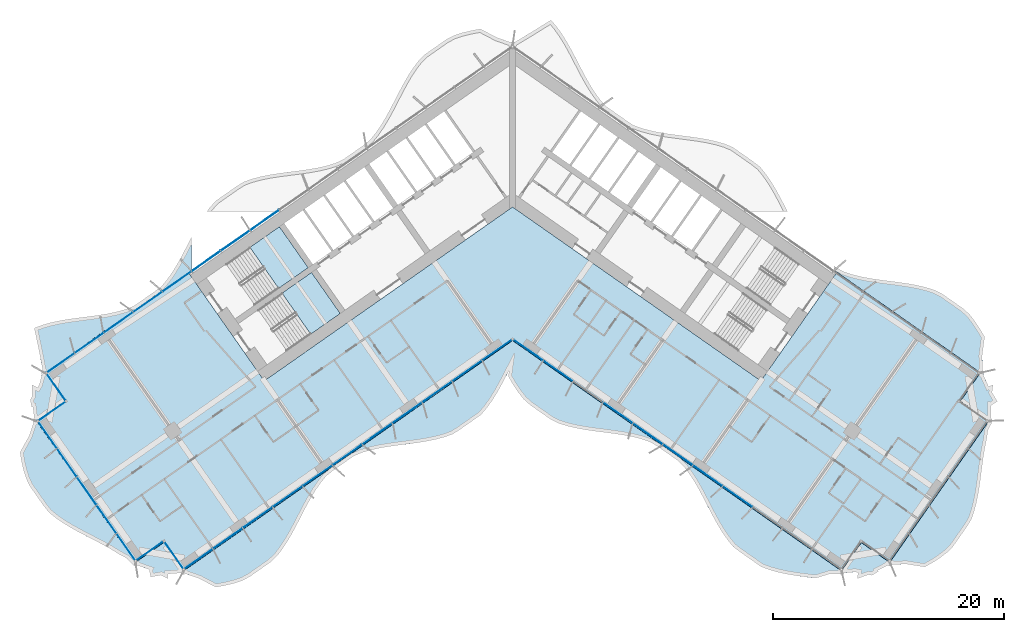
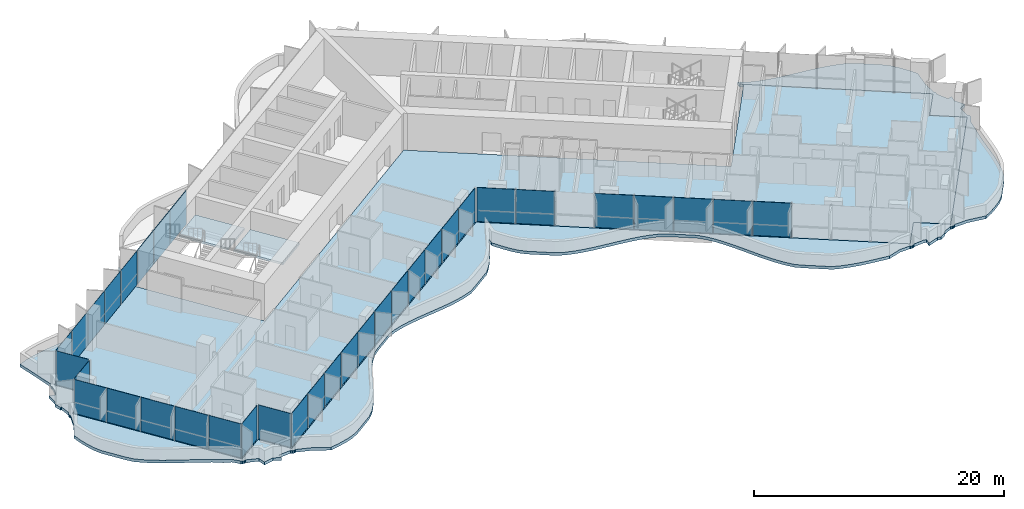
# One storey, part 10 of 23: 35 plates, 4 slabs, 4 elements without a shape of their own.
"""IFC4 building model written with IfcOpenShell, lengths in metres."""

from ifc_helpers import new_model, si_unit, direction, frame, origin, origin_2d, place, context, subcontext, project, spatial, polyline, rectangle, outline, extrude, material, layer, layer_set, type_object, element, aggregate, save


model = new_model("IFC4")

# Units and contexts
model_context = context("Model", 3, precision=1e-05, world=origin(), true_north=direction((0.0, 1.0)))
body_context = subcontext(model_context, "Body", "Model", "MODEL_VIEW")
ifc_project = project(units=[si_unit("LENGTHUNIT", "METRE"), si_unit("AREAUNIT", "SQUARE_METRE"), si_unit("VOLUMEUNIT", "CUBIC_METRE"), si_unit("PLANEANGLEUNIT", "RADIAN"), si_unit("MASSUNIT", "GRAM", prefix="KILO")], contexts=[model_context])

# Site, building, storey
site_placement = place(None, origin())
site = spatial("IfcSite", under=ifc_project, at=site_placement, CompositionType="ELEMENT")
building_placement = place(site_placement, origin())
building = spatial("IfcBuilding", under=site, at=building_placement, Name="Tel Ilan Convention Tower", CompositionType="ELEMENT")
storey_placement = place(building_placement, frame((0.0, 0.0, 112.10009765625)))
storey = spatial("IfcBuildingStorey", under=building, at=storey_placement, Name="L24", CompositionType="ELEMENT", Elevation=112.10009765625)

# Curtain wall, plates
ifc_material_1 = material(Name="Aluminium, bronze anodised", Category="aluminium")
curtain_wall_type_1 = type_object("IfcCurtainWallType", Name="CW1 UNITISED CURTAIN WALL, HOTEL TINTED GLASS", PredefinedType="NOTDEFINED", material=ifc_material_1)
curtain_wall_1_placement = place(storey_placement, origin())
curtain_wall_1 = element("IfcCurtainWall", 1, at=curtain_wall_1_placement, inside=storey, type_object=curtain_wall_type_1, Name="Curtain wall CW1-20.02", PredefinedType="NOTDEFINED")
ifc_material_2 = material(Name="Glass, bronze tinted, two-ply unitised", Category="glass")
ifc_layer_1 = layer(ifc_material_2, 0.028076171875)
ifc_layer_set_1 = layer_set([ifc_layer_1], Name="CW HOTEL GLASS PANEL 28")
plate_type_1 = type_object("IfcPlateType", Name="CW HOTEL GLASS PANEL 28", PredefinedType="CURTAIN_PANEL", material=ifc_layer_set_1)
plate_1_placement = place(storey_placement, frame((-29.1171875, -7.692138671875, 0.0), z_axis=(0.0, 0.0, 1.0), x_axis=(-0.819152044289, -0.573576436351, 0.0)))
plate_1 = element("IfcPlate", 2, at=plate_1_placement, type_object=plate_type_1, Name="Glass panel", PredefinedType="CURTAIN_PANEL", context=body_context, shape_type="SweptSolid", body=[
    extrude(rectangle(XDim=3.037109375, YDim=0.028076171875, at=origin_2d()), origin(), (0.0, 0.0, 1.0), 3.320068359375),
])
plate_2_placement = place(storey_placement, frame((-31.654296875, -9.468505859375, 0.0), z_axis=(0.0, 0.0, 1.0), x_axis=(-0.819152044289, -0.573576436351, 0.0)))
plate_2 = element("IfcPlate", 3, at=plate_2_placement, type_object=plate_type_1, Name="Glass panel", PredefinedType="CURTAIN_PANEL", context=body_context, shape_type="SweptSolid", body=[
    extrude(rectangle(XDim=3.037109375, YDim=0.028076171875, at=origin_2d()), origin(), (0.0, 0.0, 1.0), 3.320068359375),
])
plate_3_placement = place(storey_placement, frame((-34.191162109375, -11.244873046875, 0.0), z_axis=(0.0, 0.0, 1.0), x_axis=(-0.819152044289, -0.573576436351, 0.0)))
plate_3 = element("IfcPlate", 4, at=plate_3_placement, type_object=plate_type_1, Name="Glass panel", PredefinedType="CURTAIN_PANEL", context=body_context, shape_type="SweptSolid", body=[
    extrude(rectangle(XDim=3.037109375, YDim=0.028076171875, at=origin_2d()), origin(), (0.0, 0.0, 1.0), 3.320068359375),
])
plate_4_placement = place(storey_placement, frame((-36.72802734375, -13.021240234375, 0.0), z_axis=(0.0, 0.0, 1.0), x_axis=(-0.819152044289, -0.573576436351, 0.0)))
plate_4 = element("IfcPlate", 5, at=plate_4_placement, type_object=plate_type_1, Name="Glass panel", PredefinedType="CURTAIN_PANEL", context=body_context, shape_type="SweptSolid", body=[
    extrude(rectangle(XDim=3.037109375, YDim=0.028076171875, at=origin_2d()), origin(), (0.0, 0.0, 1.0), 3.320068359375),
])
plate_5_placement = place(storey_placement, frame((-39.2265625, -14.7705078125, 0.0), z_axis=(0.0, 0.0, 1.0), x_axis=(-0.819152044289, -0.573576436351, 0.0)))
plate_5 = element("IfcPlate", 6, at=plate_5_placement, type_object=plate_type_1, Name="Glass panel", PredefinedType="CURTAIN_PANEL", context=body_context, shape_type="SweptSolid", body=[
    extrude(rectangle(XDim=2.943115234375, YDim=0.028076171875, at=origin_2d()), origin(), (0.0, 0.0, 1.0), 3.320068359375),
])
plate_6_placement = place(storey_placement, frame((-39.61328125, -16.82568359375, 0.0), z_axis=(0.0, 0.0, 1.0), x_axis=(0.573576436351, -0.819152044289, 0.0)))
plate_6 = element("IfcPlate", 7, at=plate_6_placement, type_object=plate_type_1, Name="Glass panel", PredefinedType="CURTAIN_PANEL", context=body_context, shape_type="SweptSolid", body=[
    extrude(rectangle(XDim=2.875, YDim=0.028076171875, at=origin_2d()), origin(), (0.0, 0.0, 1.0), 3.320068359375),
])
plate_7_placement = place(storey_placement, frame((-39.990966796875, -18.96826171875, 0.0), z_axis=(0.0, 0.0, 1.0), x_axis=(-0.819152044289, -0.573576436351, 0.0)))
plate_7 = element("IfcPlate", 8, at=plate_7_placement, type_object=plate_type_1, Name="Glass panel", PredefinedType="CURTAIN_PANEL", context=body_context, shape_type="SweptSolid", body=[
    extrude(rectangle(XDim=2.875, YDim=0.028076171875, at=origin_2d()), origin(), (0.0, 0.0, 1.0), 3.320068359375),
])
plate_8_placement = place(storey_placement, frame((-40.358154296875, -20.991943359375, 0.0), z_axis=(0.0, 0.0, 1.0), x_axis=(0.573576436351, -0.819152044289, 0.0)))
plate_8 = element("IfcPlate", 9, at=plate_8_placement, type_object=plate_type_1, Name="Glass panel", PredefinedType="CURTAIN_PANEL", context=body_context, shape_type="SweptSolid", body=[
    extrude(rectangle(XDim=2.845947265625, YDim=0.028076171875, at=origin_2d()), origin(), (0.0, 0.0, 1.0), 3.320068359375),
])
plate_9_placement = place(storey_placement, frame((-38.66455078125, -23.410888671875, 0.0), z_axis=(0.0, 0.0, 1.0), x_axis=(0.573576436351, -0.819152044289, 0.0)))
plate_9 = element("IfcPlate", 10, at=plate_9_placement, type_object=plate_type_1, Name="Glass panel", PredefinedType="CURTAIN_PANEL", context=body_context, shape_type="SweptSolid", body=[
    extrude(rectangle(XDim=2.93994140625, YDim=0.028076171875, at=origin_2d()), origin(), (0.0, 0.0, 1.0), 3.320068359375),
])
plate_10_placement = place(storey_placement, frame((-36.94384765625, -25.868408203125, 0.0), z_axis=(0.0, 0.0, 1.0), x_axis=(0.573576436351, -0.819152044289, 0.0)))
plate_10 = element("IfcPlate", 11, at=plate_10_placement, type_object=plate_type_1, Name="Glass panel", PredefinedType="CURTAIN_PANEL", context=body_context, shape_type="SweptSolid", body=[
    extrude(rectangle(XDim=2.93994140625, YDim=0.028076171875, at=origin_2d()), origin(), (0.0, 0.0, 1.0), 3.320068359375),
])
plate_11_placement = place(storey_placement, frame((-35.22314453125, -28.32568359375, 0.0), z_axis=(0.0, 0.0, 1.0), x_axis=(0.573576436351, -0.819152044289, 0.0)))
plate_11 = element("IfcPlate", 12, at=plate_11_placement, type_object=plate_type_1, Name="Glass panel", PredefinedType="CURTAIN_PANEL", context=body_context, shape_type="SweptSolid", body=[
    extrude(rectangle(XDim=2.93994140625, YDim=0.028076171875, at=origin_2d()), origin(), (0.0, 0.0, 1.0), 3.320068359375),
])
plate_12_placement = place(storey_placement, frame((-33.529296875, -30.74462890625, 0.0), z_axis=(0.0, 0.0, 1.0), x_axis=(0.573576436351, -0.819152044289, 0.0)))
plate_12 = element("IfcPlate", 13, at=plate_12_placement, type_object=plate_type_1, Name="Glass panel", PredefinedType="CURTAIN_PANEL", context=body_context, shape_type="SweptSolid", body=[
    extrude(rectangle(XDim=2.845947265625, YDim=0.028076171875, at=origin_2d()), origin(), (0.0, 0.0, 1.0), 3.320068359375),
])
plate_13_placement = place(storey_placement, frame((-31.502197265625, -31.091796875, 0.0), z_axis=(0.0, 0.0, 1.0), x_axis=(0.819152044289, 0.573576436351, 0.0)))
plate_13 = element("IfcPlate", 14, at=plate_13_placement, type_object=plate_type_1, Name="Glass panel", PredefinedType="CURTAIN_PANEL", context=body_context, shape_type="SweptSolid", body=[
    extrude(rectangle(XDim=2.875, YDim=0.028076171875, at=origin_2d()), origin(), (0.0, 0.0, 1.0), 3.320068359375),
])
plate_14_placement = place(storey_placement, frame((-29.359375, -31.469482421875, 0.0), z_axis=(0.0, 0.0, 1.0), x_axis=(0.573576436351, -0.819152044289, 0.0)))
plate_14 = element("IfcPlate", 15, at=plate_14_placement, type_object=plate_type_1, Name="Glass panel", PredefinedType="CURTAIN_PANEL", context=body_context, shape_type="SweptSolid", body=[
    extrude(rectangle(XDim=2.875, YDim=0.028076171875, at=origin_2d()), origin(), (0.0, 0.0, 1.0), 3.320068359375),
])
plate_15_placement = place(storey_placement, frame((-27.26708984375, -31.78857421875, 0.0), z_axis=(0.0, 0.0, 1.0), x_axis=(0.819152044289, 0.573576436351, 0.0)))
plate_15 = element("IfcPlate", 16, at=plate_15_placement, type_object=plate_type_1, Name="Glass panel", PredefinedType="CURTAIN_PANEL", context=body_context, shape_type="SweptSolid", body=[
    extrude(rectangle(XDim=3.013916015625, YDim=0.028076171875, at=origin_2d()), origin(), (0.0, 0.0, 1.0), 3.320068359375),
])
plate_16_placement = place(storey_placement, frame((-24.71044921875, -29.99853515625, 0.0), z_axis=(0.0, 0.0, 1.0), x_axis=(0.819152044289, 0.573576436351, 0.0)))
plate_16 = element("IfcPlate", 17, at=plate_16_placement, type_object=plate_type_1, Name="Glass panel", PredefinedType="CURTAIN_PANEL", context=body_context, shape_type="SweptSolid", body=[
    extrude(rectangle(XDim=3.10791015625, YDim=0.028076171875, at=origin_2d()), origin(), (0.0, 0.0, 1.0), 3.320068359375),
])
plate_17_placement = place(storey_placement, frame((-22.115478515625, -28.181396484375, 0.0), z_axis=(0.0, 0.0, 1.0), x_axis=(0.819152044289, 0.573576436351, 0.0)))
plate_17 = element("IfcPlate", 18, at=plate_17_placement, type_object=plate_type_1, Name="Glass panel", PredefinedType="CURTAIN_PANEL", context=body_context, shape_type="SweptSolid", body=[
    extrude(rectangle(XDim=3.10791015625, YDim=0.028076171875, at=origin_2d()), origin(), (0.0, 0.0, 1.0), 3.320068359375),
])
plate_18_placement = place(storey_placement, frame((-19.520263671875, -26.3642578125, 0.0), z_axis=(0.0, 0.0, 1.0), x_axis=(0.819152044289, 0.573576436351, 0.0)))
plate_18 = element("IfcPlate", 19, at=plate_18_placement, type_object=plate_type_1, Name="Glass panel", PredefinedType="CURTAIN_PANEL", context=body_context, shape_type="SweptSolid", body=[
    extrude(rectangle(XDim=3.10791015625, YDim=0.028076171875, at=origin_2d()), origin(), (0.0, 0.0, 1.0), 3.320068359375),
])
plate_19_placement = place(storey_placement, frame((-16.92529296875, -24.54736328125, 0.0), z_axis=(0.0, 0.0, 1.0), x_axis=(0.819152044289, 0.573576436351, 0.0)))
plate_19 = element("IfcPlate", 20, at=plate_19_placement, type_object=plate_type_1, Name="Glass panel", PredefinedType="CURTAIN_PANEL", context=body_context, shape_type="SweptSolid", body=[
    extrude(rectangle(XDim=3.10791015625, YDim=0.028076171875, at=origin_2d()), origin(), (0.0, 0.0, 1.0), 3.320068359375),
])
plate_20_placement = place(storey_placement, frame((-14.330078125, -22.730224609375, 0.0), z_axis=(0.0, 0.0, 1.0), x_axis=(0.819152044289, 0.573576436351, 0.0)))
plate_20 = element("IfcPlate", 21, at=plate_20_placement, type_object=plate_type_1, Name="Glass panel", PredefinedType="CURTAIN_PANEL", context=body_context, shape_type="SweptSolid", body=[
    extrude(rectangle(XDim=3.10791015625, YDim=0.028076171875, at=origin_2d()), origin(), (0.0, 0.0, 1.0), 3.320068359375),
])
plate_21_placement = place(storey_placement, frame((-11.735107421875, -20.9130859375, 0.0), z_axis=(0.0, 0.0, 1.0), x_axis=(0.819152044289, 0.573576436351, 0.0)))
plate_21 = element("IfcPlate", 22, at=plate_21_placement, type_object=plate_type_1, Name="Glass panel", PredefinedType="CURTAIN_PANEL", context=body_context, shape_type="SweptSolid", body=[
    extrude(rectangle(XDim=3.10791015625, YDim=0.028076171875, at=origin_2d()), origin(), (0.0, 0.0, 1.0), 3.320068359375),
])
plate_22_placement = place(storey_placement, frame((-9.14013671875, -19.095947265625, 0.0), z_axis=(0.0, 0.0, 1.0), x_axis=(0.819152044289, 0.573576436351, 0.0)))
plate_22 = element("IfcPlate", 23, at=plate_22_placement, type_object=plate_type_1, Name="Glass panel", PredefinedType="CURTAIN_PANEL", context=body_context, shape_type="SweptSolid", body=[
    extrude(rectangle(XDim=3.10791015625, YDim=0.028076171875, at=origin_2d()), origin(), (0.0, 0.0, 1.0), 3.320068359375),
])
plate_23_placement = place(storey_placement, frame((-6.544921875, -17.27880859375, 0.0), z_axis=(0.0, 0.0, 1.0), x_axis=(0.819152044289, 0.573576436351, 0.0)))
plate_23 = element("IfcPlate", 24, at=plate_23_placement, type_object=plate_type_1, Name="Glass panel", PredefinedType="CURTAIN_PANEL", context=body_context, shape_type="SweptSolid", body=[
    extrude(rectangle(XDim=3.10791015625, YDim=0.028076171875, at=origin_2d()), origin(), (0.0, 0.0, 1.0), 3.320068359375),
])
plate_24_placement = place(storey_placement, frame((-3.949951171875, -15.4619140625, 0.0), z_axis=(0.0, 0.0, 1.0), x_axis=(0.819152044289, 0.573576436351, 0.0)))
plate_24 = element("IfcPlate", 25, at=plate_24_placement, type_object=plate_type_1, Name="Glass panel", PredefinedType="CURTAIN_PANEL", context=body_context, shape_type="SweptSolid", body=[
    extrude(rectangle(XDim=3.10791015625, YDim=0.028076171875, at=origin_2d()), origin(), (0.0, 0.0, 1.0), 3.320068359375),
])
plate_25_placement = place(storey_placement, frame((-1.355224609375, -13.64501953125, 0.0), z_axis=(0.0, 0.0, 1.0), x_axis=(0.819152044289, 0.573576436351, 0.0)))
plate_25 = element("IfcPlate", 26, at=plate_25_placement, type_object=plate_type_1, Name="Glass panel", PredefinedType="CURTAIN_PANEL", context=body_context, shape_type="SweptSolid", body=[
    extrude(rectangle(XDim=3.10693359375, YDim=0.028076171875, at=origin_2d()), origin(), (0.0, 0.0, 1.0), 3.320068359375),
])
plate_26_placement = place(storey_placement, frame((1.366943359375, -13.653076171875, 0.0), z_axis=(0.0, 0.0, 1.0), x_axis=(0.819152044289, -0.573576436351, 0.0)))
plate_26 = element("IfcPlate", 27, at=plate_26_placement, type_object=plate_type_1, Name="Glass panel", PredefinedType="CURTAIN_PANEL", context=body_context, shape_type="SweptSolid", body=[
    extrude(rectangle(XDim=3.078857421875, YDim=0.028076171875, at=origin_2d()), origin(), (0.0, 0.0, 1.0), 3.320068359375),
])
plate_27_placement = place(storey_placement, frame((3.949951171875, -15.4619140625, 0.0), z_axis=(0.0, 0.0, 1.0), x_axis=(0.819152044289, -0.573576436351, 0.0)))
plate_27 = element("IfcPlate", 28, at=plate_27_placement, type_object=plate_type_1, Name="Glass panel", PredefinedType="CURTAIN_PANEL", context=body_context, shape_type="SweptSolid", body=[
    extrude(rectangle(XDim=3.10791015625, YDim=0.028076171875, at=origin_2d()), origin(), (0.0, 0.0, 1.0), 3.320068359375),
])
plate_28_placement = place(storey_placement, frame((9.14013671875, -19.095947265625, 0.0), z_axis=(0.0, 0.0, 1.0), x_axis=(0.819152044289, -0.573576436351, 0.0)))
plate_28 = element("IfcPlate", 29, at=plate_28_placement, type_object=plate_type_1, Name="Glass panel", PredefinedType="CURTAIN_PANEL", context=body_context, shape_type="SweptSolid", body=[
    extrude(rectangle(XDim=3.10791015625, YDim=0.028076171875, at=origin_2d()), origin(), (0.0, 0.0, 1.0), 3.320068359375),
])
plate_29_placement = place(storey_placement, frame((11.735107421875, -20.9130859375, 0.0), z_axis=(0.0, 0.0, 1.0), x_axis=(0.819152044289, -0.573576436351, 0.0)))
plate_29 = element("IfcPlate", 30, at=plate_29_placement, type_object=plate_type_1, Name="Glass panel", PredefinedType="CURTAIN_PANEL", context=body_context, shape_type="SweptSolid", body=[
    extrude(rectangle(XDim=3.10791015625, YDim=0.028076171875, at=origin_2d()), origin(), (0.0, 0.0, 1.0), 3.320068359375),
])
plate_30_placement = place(storey_placement, frame((14.330078125, -22.730224609375, 0.0), z_axis=(0.0, 0.0, 1.0), x_axis=(0.819152044289, -0.573576436351, 0.0)))
plate_30 = element("IfcPlate", 31, at=plate_30_placement, type_object=plate_type_1, Name="Glass panel", PredefinedType="CURTAIN_PANEL", context=body_context, shape_type="SweptSolid", body=[
    extrude(rectangle(XDim=3.10791015625, YDim=0.028076171875, at=origin_2d()), origin(), (0.0, 0.0, 1.0), 3.320068359375),
])
plate_31_placement = place(storey_placement, frame((16.92529296875, -24.54736328125, 0.0), z_axis=(0.0, 0.0, 1.0), x_axis=(0.819152044289, -0.573576436351, 0.0)))
plate_31 = element("IfcPlate", 32, at=plate_31_placement, type_object=plate_type_1, Name="Glass panel", PredefinedType="CURTAIN_PANEL", context=body_context, shape_type="SweptSolid", body=[
    extrude(rectangle(XDim=3.10791015625, YDim=0.028076171875, at=origin_2d()), origin(), (0.0, 0.0, 1.0), 3.320068359375),
])
plate_32_placement = place(storey_placement, frame((19.520263671875, -26.3642578125, 0.0), z_axis=(0.0, 0.0, 1.0), x_axis=(0.819152044289, -0.573576436351, 0.0)))
plate_32 = element("IfcPlate", 33, at=plate_32_placement, type_object=plate_type_1, Name="Glass panel", PredefinedType="CURTAIN_PANEL", context=body_context, shape_type="SweptSolid", body=[
    extrude(rectangle(XDim=3.10791015625, YDim=0.028076171875, at=origin_2d()), origin(), (0.0, 0.0, 1.0), 3.320068359375),
])
aggregate(curtain_wall_1, [plate_1, plate_2, plate_3, plate_4, plate_5, plate_6, plate_7, plate_8, plate_9, plate_10, plate_11, plate_12, plate_13, plate_14, plate_15, plate_16, plate_17, plate_18, plate_19, plate_20, plate_21, plate_22, plate_23, plate_24, plate_25, plate_26, plate_27, plate_28, plate_29, plate_30, plate_31, plate_32])

ifc_material_3 = material(Name="Aluminium, bronze anodised", Category="aluminium")
curtain_wall_type_2 = type_object("IfcCurtainWallType", Name="CW2 STICK CURTAIN WALL, SPANDREL PANELS", PredefinedType="NOTDEFINED", material=ifc_material_3)
curtain_wall_2_placement = place(storey_placement, origin())
curtain_wall_2 = element("IfcCurtainWall", 34, at=curtain_wall_2_placement, inside=storey, type_object=curtain_wall_type_2, Name="Curtain wall CW2-20.01", PredefinedType="NOTDEFINED")
ifc_material_4 = material(Name="Aluminium composite panel, bronze anodised", Category="aluminium")
ifc_layer_2 = layer(ifc_material_4, 0.06005859375)
ifc_layer_set_2 = layer_set([ifc_layer_2], Name="CW SPANDREL PANEL 60")
plate_type_2 = type_object("IfcPlateType", Name="CW SPANDREL PANEL 60", PredefinedType="CURTAIN_PANEL", material=ifc_layer_set_2)
plate_33_placement = place(storey_placement, frame((-21.506591796875, -2.363037109375, 0.0), z_axis=(0.0, 0.0, 1.0), x_axis=(-0.819152044289, -0.573576436351, 0.0)))
plate_33 = element("IfcPlate", 35, at=plate_33_placement, type_object=plate_type_2, Name="Spandrel panel", PredefinedType="CURTAIN_PANEL", context=body_context, shape_type="SweptSolid", body=[
    extrude(rectangle(XDim=3.037109375, YDim=0.06005859375, at=origin_2d()), origin(), (0.0, 0.0, 1.0), 3.320068359375),
])
plate_34_placement = place(storey_placement, frame((-24.04345703125, -4.139404296875, 0.0), z_axis=(0.0, 0.0, 1.0), x_axis=(-0.819152044289, -0.573576436351, 0.0)))
plate_34 = element("IfcPlate", 36, at=plate_34_placement, type_object=plate_type_2, Name="Spandrel panel", PredefinedType="CURTAIN_PANEL", context=body_context, shape_type="SweptSolid", body=[
    extrude(rectangle(XDim=3.037109375, YDim=0.06005859375, at=origin_2d()), origin(), (0.0, 0.0, 1.0), 3.320068359375),
])
plate_35_placement = place(storey_placement, frame((-26.580322265625, -5.915771484375, 0.0), z_axis=(0.0, 0.0, 1.0), x_axis=(-0.819152044289, -0.573576436351, 0.0)))
plate_35 = element("IfcPlate", 37, at=plate_35_placement, type_object=plate_type_2, Name="Spandrel panel", PredefinedType="CURTAIN_PANEL", context=body_context, shape_type="SweptSolid", body=[
    extrude(rectangle(XDim=3.037109375, YDim=0.06005859375, at=origin_2d()), origin(), (0.0, 0.0, 1.0), 3.320068359375),
])
aggregate(curtain_wall_2, [plate_33, plate_34, plate_35])

# Stair, slab
ifc_material_5 = material(Name="Concrete C40/50", Category="concrete")
stair_type = type_object("IfcStairType", Name="Pressurised Exit Stair 20 risers 180 mm", PredefinedType="HALF_TURN_STAIR", material=ifc_material_5)
stair_1_placement = place(storey_placement, origin())
stair_1 = element("IfcStair", 38, at=stair_1_placement, inside=storey, type_object=stair_type, Name="L24 Pressurised Stair S1", PredefinedType="HALF_TURN_STAIR")
ifc_material_6 = material(Name="Concrete C40/50", Category="concrete")
ifc_layer_3 = layer(ifc_material_6, 0.199951171875)
ifc_layer_set_3 = layer_set([ifc_layer_3], Name="Concrete Stair Landing 200 mm C40/50")
slab_type_1 = type_object("IfcSlabType", Name="Concrete Stair Landing 200 mm", PredefinedType="LANDING", material=ifc_layer_set_3)
slab_1_placement = place(storey_placement, frame((0.0, 0.0, 1.599853515625)))
slab_1 = element("IfcSlab", 39, at=slab_1_placement, type_object=slab_type_1, Name="S1 landing 1", PredefinedType="LANDING", context=body_context, shape_type="SweptSolid", body=[
    extrude(outline(polyline([(-20.2958984375, -8.29052734375), (-17.7314453125, -6.494873046875), (-20.226318359375, -2.931640625), (-22.791015625, -4.727294921875), (-20.2958984375, -8.29052734375)])), origin(), (0.0, 0.0, 1.0), 0.199951171875),
])
aggregate(stair_1, [slab_1])

stair_2_placement = place(storey_placement, origin())
stair_2 = element("IfcStair", 40, at=stair_2_placement, inside=storey, type_object=stair_type, Name="L24 Pressurised Stair S2", PredefinedType="HALF_TURN_STAIR")
slab_2_placement = place(storey_placement, frame((0.0, 0.0, 1.599853515625)))
slab_2 = element("IfcSlab", 41, at=slab_2_placement, type_object=slab_type_1, Name="S2 landing 1", PredefinedType="LANDING", context=body_context, shape_type="SweptSolid", body=[
    extrude(outline(polyline([(-17.51416015625, -12.263427734375), (-14.949462890625, -10.4677734375), (-17.444580078125, -6.904541015625), (-20.00927734375, -8.7001953125), (-17.51416015625, -12.263427734375)])), origin(), (0.0, 0.0, 1.0), 0.199951171875),
])
aggregate(stair_2, [slab_2])

# Slabs
ifc_material_7 = material(Name="Concrete C40/50", Category="concrete")
ifc_layer_4 = layer(ifc_material_7, 0.280029296875)
ifc_layer_set_4 = layer_set([ifc_layer_4], Name="Edge Ledge Slab 280 mm C40/50")
slab_type_2 = type_object("IfcSlabType", Name="Edge Ledge Slab 280 mm C40/50", PredefinedType="FLOOR", material=ifc_layer_set_4)
slab_3_placement = place(storey_placement, frame((0.0, 0.0, -0.280029296875)))
element("IfcSlab", 42, at=slab_3_placement, inside=storey, type_object=slab_type_2, Name="L24 edge ledge 1", PredefinedType="FLOOR", context=body_context, shape_type="SweptSolid", body=[
    extrude(outline(polyline([(-41.327392578125, -19.781982421875), (-32.723876953125, -32.0693359375), (-30.266357421875, -30.3486328125), (-30.09423828125, -30.59423828125), (-28.714599609375, -32.56494140625), (-28.545654296875, -32.805908203125), (0.0, -12.818115234375), (28.545654296875, -32.805908203125), (28.712890625, -32.567138671875), (30.09423828125, -30.59423828125), (30.266357421875, -30.3486328125), (32.723876953125, -32.0693359375), (41.327392578125, -19.781982421875), (41.08837890625, -19.61474609375), (40.098876953125, -18.921630859375), (38.8701171875, -18.061279296875), (40.5908203125, -15.603759765625), (27.875, -6.7001953125), (27.875, -6.333740234375), (28.040283203125, -6.44970703125), (28.68408203125, -6.820068359375), (29.414794921875, -7.0654296875), (30.181884765625, -7.259521484375), (30.97802734375, -7.412109375), (31.79443359375, -7.535400390625), (32.6220703125, -7.64306640625), (33.450927734375, -7.748779296875), (34.27099609375, -7.86669921875), (35.072998046875, -8.0107421875), (35.84814453125, -8.193115234375), (36.5888671875, -8.4248046875), (37.260498046875, -8.755126953125), (39.077880859375, -10.027587890625), (39.63232421875, -10.525390625), (40.108154296875, -11.13525390625), (40.548583984375, -11.795654296875), (40.96044921875, -12.496826171875), (40.743408203125, -14.096435546875), (40.7626953125, -15.358154296875), (40.759521484375, -15.36279296875), (40.802978515625, -15.3916015625), (40.867919921875, -15.489013671875), (40.890869140625, -15.603759765625), (40.867919921875, -15.718505859375), (40.831787109375, -15.772705078125), (40.83642578125, -15.77587890625), (41.29638671875, -16.79443359375), (41.686767578125, -16.65380859375), (41.602294921875, -17.322509765625), (42.063720703125, -18.10009765625), (41.508056640625, -18.443603515625), (41.487548828125, -18.439453125), (41.49951171875, -19.536376953125), (41.496337890625, -19.541015625), (41.53955078125, -19.56982421875), (41.604736328125, -19.667236328125), (41.62744140625, -19.781982421875), (41.604736328125, -19.896728515625), (41.568603515625, -19.95068359375), (41.5732421875, -19.9541015625), (41.24267578125, -20.594482421875), (41.12841796875, -21.386474609375), (40.97021484375, -22.147705078125), (40.841064453125, -22.929443359375), (40.732421875, -23.72509765625), (40.631103515625, -24.5263671875), (40.52490234375, -25.323974609375), (40.40087890625, -26.10888671875), (40.247314453125, -26.87353515625), (40.0537109375, -27.60986328125), (39.810791015625, -28.311767578125), (39.44189453125, -28.925537109375), (38.212890625, -30.680908203125), (37.701904296875, -31.195068359375), (37.104736328125, -31.64892578125), (36.4619140625, -32.07080078125), (35.769775390625, -32.4580078125), (34.16845703125, -32.208740234375), (32.969482421875, -32.241455078125), (32.96484375, -32.238037109375), (32.93603515625, -32.281494140625), (32.838623046875, -32.346435546875), (32.723876953125, -32.369384765625), (32.60888671875, -32.346435546875), (32.554931640625, -32.310302734375), (32.5517578125, -32.31494140625), (31.685546875, -32.75439453125), (31.7392578125, -32.8447265625), (31.18359375, -33.188232421875), (30.877685546875, -33.126708984375), (29.9072265625, -33.476806640625), (29.97412109375, -32.9453125), (29.716796875, -32.8935546875), (28.79150390625, -32.97802734375), (28.78662109375, -32.974853515625), (28.7578125, -33.018310546875), (28.660400390625, -33.083251953125), (28.545654296875, -33.10595703125), (28.430908203125, -33.083251953125), (28.376953125, -33.047119140625), (28.37353515625, -33.0517578125), (27.44921875, -33.079345703125), (26.29443359375, -33.435546875), (25.462646484375, -33.3310546875), (24.635986328125, -33.218994140625), (23.824462890625, -33.08544921875), (23.03662109375, -32.91748046875), (22.281005859375, -32.7041015625), (21.564697265625, -32.434814453125), (19.742431640625, -31.158935546875), (19.1513671875, -30.71044921875), (18.660888671875, -30.1181640625), (18.2080078125, -29.47216796875), (17.785888671875, -28.782470703125), (17.38623046875, -28.060546875), (16.999755859375, -27.31982421875), (16.61669921875, -26.574462890625), (16.2265625, -25.838623046875), (15.8203125, -25.12646484375), (15.388427734375, -24.450439453125), (14.92333984375, -23.822021484375), (14.404296875, -23.2705078125), (12.58251953125, -21.99462890625), (11.9423828125, -21.61572265625), (11.211669921875, -21.366943359375), (10.444091796875, -21.17041015625), (9.647216796875, -21.015625), (8.829345703125, -20.89111328125), (8.0, -20.782958984375), (7.1689453125, -20.677001953125), (6.34619140625, -20.559326171875), (5.54150390625, -20.416015625), (4.763427734375, -20.234375), (4.02001953125, -20.003662109375), (3.343994140625, -19.676513671875), (1.52197265625, -18.400634765625), (0.964599609375, -17.90380859375), (0.4873046875, -17.293212890625), (0.04541015625, -16.631591796875), (-0.367919921875, -15.928955078125), (-0.29345703125, -15.373291015625), (-0.56103515625, -15.89501953125), (-0.94921875, -16.63330078125), (-1.352294921875, -17.350341796875), (-1.779296875, -18.032958984375), (-2.23828125, -18.669921875), (-2.736572265625, -19.251220703125), (-4.55859375, -20.527099609375), (-5.18212890625, -20.92919921875), (-5.906494140625, -21.1875), (-6.66845703125, -21.39208984375), (-7.4609375, -21.552734375), (-8.27587890625, -21.681396484375), (-9.104248046875, -21.791259765625), (-9.935791015625, -21.896484375), (-10.760498046875, -22.01123046875), (-11.56884765625, -22.1494140625), (-12.351806640625, -22.32421875), (-13.101318359375, -22.546142578125), (-13.797119140625, -22.84521484375), (-15.619140625, -24.12109375), (-16.194091796875, -24.5927734375), (-16.677734375, -25.1943359375), (-17.125, -25.848388671875), (-17.54296875, -26.544189453125), (-17.939697265625, -27.270263671875), (-18.3251953125, -28.0126953125), (-18.708740234375, -28.75732421875), (-19.1005859375, -29.490234375), (-19.510498046875, -30.197509765625), (-19.947509765625, -30.8662109375), (-20.41845703125, -31.486083984375), (-20.957275390625, -32.009521484375), (-22.779296875, -33.28515625), (-23.436767578125, -33.638916015625), (-24.174072265625, -33.87890625), (-24.94677734375, -34.067626953125), (-25.748291015625, -34.2158203125), (-27.177490234375, -33.46728515625), (-28.37353515625, -33.0517578125), (-28.376953125, -33.047119140625), (-28.430908203125, -33.083251953125), (-28.545654296875, -33.10595703125), (-28.660400390625, -33.083251953125), (-28.7578125, -33.018310546875), (-28.78662109375, -32.974853515625), (-28.79150390625, -32.97802734375), (-29.906005859375, -33.06201171875), (-29.9072265625, -33.476806640625), (-30.5068359375, -33.168701171875), (-31.39501953125, -33.336181640625), (-31.52783203125, -32.69677734375), (-31.51708984375, -32.678955078125), (-32.5517578125, -32.31494140625), (-32.554931640625, -32.310302734375), (-32.60888671875, -32.346435546875), (-32.723876953125, -32.369384765625), (-32.838623046875, -32.346435546875), (-32.93603515625, -32.281494140625), (-32.96484375, -32.238037109375), (-32.969482421875, -32.241455078125), (-33.458251953125, -31.711669921875), (-34.16357421875, -31.33349609375), (-34.82470703125, -30.92431640625), (-35.514892578125, -30.535888671875), (-36.2255859375, -30.161376953125), (-36.94384765625, -29.792236328125), (-37.656982421875, -29.419677734375), (-38.352294921875, -29.03466796875), (-39.018310546875, -28.62890625), (-39.643798828125, -28.195068359375), (-40.220458984375, -27.726806640625), (-40.671142578125, -27.170166015625), (-41.900146484375, -25.414794921875), (-42.20849609375, -24.7587890625), (-42.430908203125, -24.04248046875), (-42.607421875, -23.294189453125), (-42.734619140625, -22.51123046875), (-41.95263671875, -21.091796875), (-41.5732421875, -19.9541015625), (-41.568603515625, -19.95068359375), (-41.604736328125, -19.896728515625), (-41.62744140625, -19.781982421875), (-41.604736328125, -19.667236328125), (-41.53955078125, -19.56982421875), (-41.496337890625, -19.541015625), (-41.49951171875, -19.536376953125), (-41.6162109375, -18.572021484375), (-41.719482421875, -18.591552734375), (-41.852294921875, -17.9521484375), (-41.68994140625, -17.685546875), (-41.686767578125, -16.65380859375), (-41.210205078125, -16.898681640625), (-41.073486328125, -16.67431640625), (-40.83642578125, -15.77587890625), (-40.831787109375, -15.772705078125), (-40.867919921875, -15.718505859375), (-40.890869140625, -15.603759765625), (-40.867919921875, -15.489013671875), (-40.802978515625, -15.3916015625), (-40.759521484375, -15.36279296875), (-40.7626953125, -15.358154296875), (-41.11181640625, -13.5703125), (-41.499267578125, -11.727294921875), (-40.784912109375, -11.45849609375), (-40.03076171875, -11.24609375), (-39.244873046875, -11.078857421875), (-38.43505859375, -10.94580078125), (-37.610595703125, -10.833984375), (-36.781005859375, -10.729248046875), (-35.956298828125, -10.61767578125), (-35.146240234375, -10.485107421875), (-34.360107421875, -10.318603515625), (-33.60546875, -10.106689453125), (-32.88916015625, -9.84033203125), (-32.28125, -9.419189453125), (-31.069580078125, -8.57080078125), (-30.476318359375, -8.128662109375), (-29.9853515625, -7.540283203125), (-29.5322265625, -6.89794921875), (-29.10986328125, -6.211669921875), (-28.71044921875, -5.492919921875), (-28.324462890625, -4.754638671875), (-27.9423828125, -4.010986328125), (-27.875, -3.88330078125), (-27.875, -6.7001953125), (-40.5908203125, -15.603759765625), (-38.8701171875, -18.061279296875), (-40.098876953125, -18.921630859375), (-41.08642578125, -19.61328125), (-41.327392578125, -19.781982421875)])), origin(), (0.0, 0.0, 1.0), 0.280029296875),
])
ifc_material_8 = material(Name="Concrete C40/50", Category="concrete")
ifc_layer_5 = layer(ifc_material_8, 0.280029296875)
ifc_layer_set_5 = layer_set([ifc_layer_5], Name="Flat Plate Floor Slab 280 mm C40/50")
slab_type_3 = type_object("IfcSlabType", Name="Flat Plate Floor Slab 280 mm C40/50", PredefinedType="FLOOR", material=ifc_layer_set_5)
slab_4_placement = place(storey_placement, frame((0.0, 0.0, -0.280029296875)))
element("IfcSlab", 43, at=slab_4_placement, inside=storey, type_object=slab_type_3, Name="L24 floor slab", PredefinedType="FLOOR", context=body_context, shape_type="SweptSolid", body=[
    extrude(outline(polyline([(41.08642578125, -19.61328125), (41.327392578125, -19.781982421875), (32.723876953125, -32.0693359375), (30.266357421875, -30.3486328125), (30.09423828125, -30.59423828125), (28.714599609375, -32.56494140625), (28.545654296875, -32.805908203125), (0.0, -12.818115234375), (-28.545654296875, -32.805908203125), (-28.714599609375, -32.56494140625), (-30.09423828125, -30.59423828125), (-30.266357421875, -30.3486328125), (-32.723876953125, -32.0693359375), (-41.327392578125, -19.781982421875), (-41.08642578125, -19.61328125), (-40.098876953125, -18.921630859375), (-38.8701171875, -18.061279296875), (-40.5908203125, -15.603759765625), (-28.1396484375, -6.885498046875), (-21.54345703125, -16.3056640625), (0.0, -1.220703125), (21.54345703125, -16.3056640625), (28.1396484375, -6.885498046875), (40.5908203125, -15.603759765625), (38.8701171875, -18.061279296875), (40.098876953125, -18.921630859375), (41.08642578125, -19.61328125)])), origin(), (0.0, 0.0, 1.0), 0.280029296875),
])

save(model, "model.ifc")
